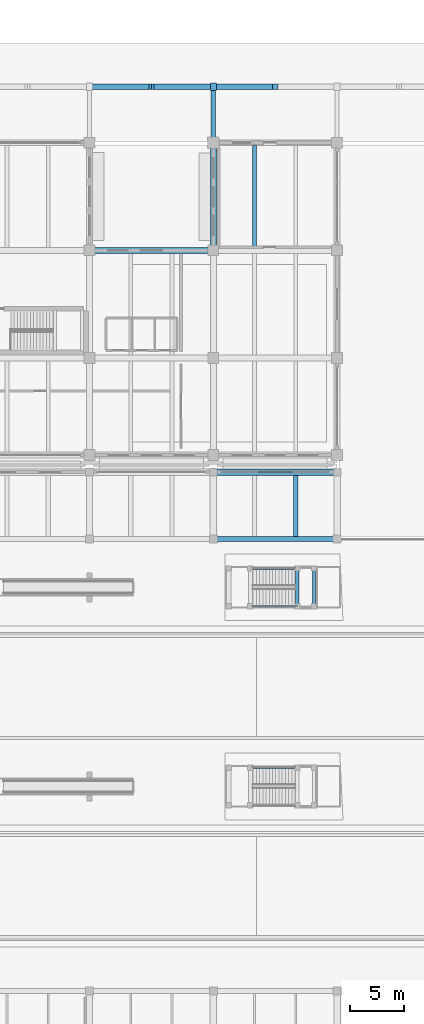
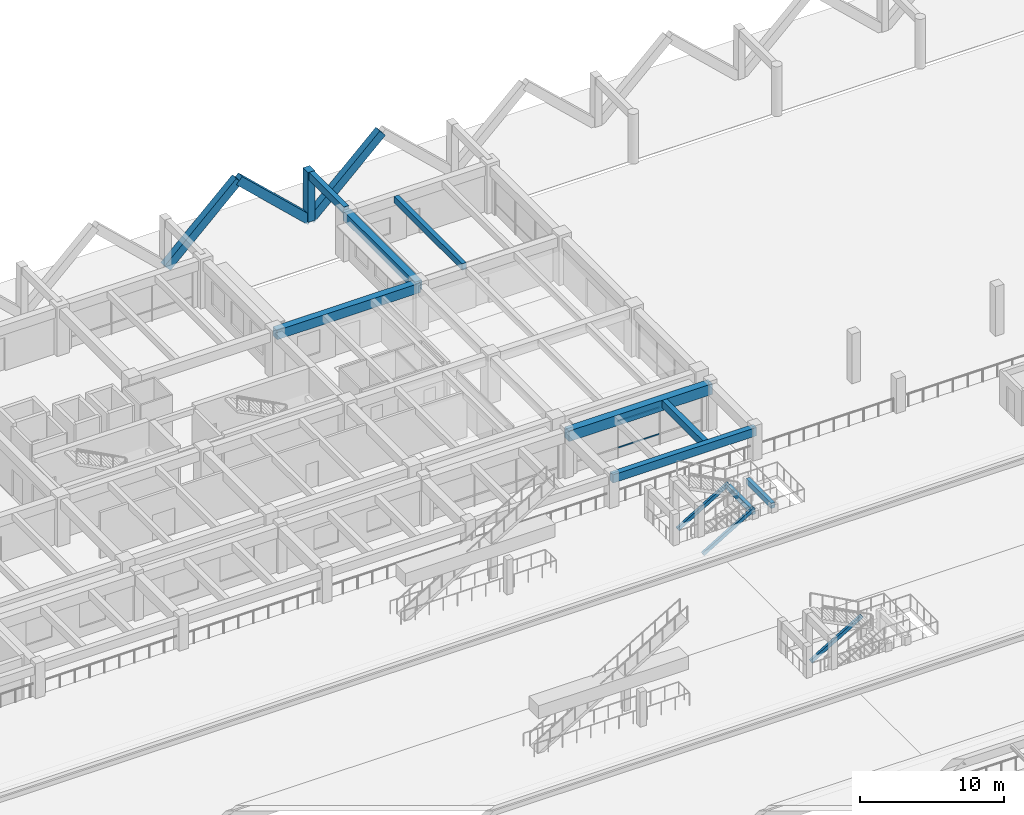
# One storey, part 36 of 109: 9 beams, 9 members, 1 element without a shape of its own.
"""IFC4 building model written with IfcOpenShell, lengths in metres."""

from ifc_helpers import new_model, si_unit, direction, frame, origin, origin_2d, place, context, subcontext, project, spatial, rectangle, hollow_rectangle, extrude, material, material_profile, profile_set, type_object, element, aggregate, save


model = new_model("IFC4")

# Units and contexts
model_context = context("Model", 3, precision=1e-05, world=origin(), true_north=direction((0.0, 1.0)))
body_context = subcontext(model_context, "Body", "Model", "MODEL_VIEW")
ifc_project = project(units=[si_unit("LENGTHUNIT", "METRE"), si_unit("AREAUNIT", "SQUARE_METRE"), si_unit("VOLUMEUNIT", "CUBIC_METRE"), si_unit("PLANEANGLEUNIT", "RADIAN"), si_unit("MASSUNIT", "GRAM", prefix="KILO")], contexts=[model_context])

# Site, building, storey
site_placement = place(None, origin())
site = spatial("IfcSite", under=ifc_project, at=site_placement, CompositionType="ELEMENT")
building_placement = place(site_placement, origin())
building = spatial("IfcBuilding", under=site, at=building_placement, Name="Ologun Quay Terminus", CompositionType="ELEMENT")
storey_placement = place(building_placement, origin())
storey = spatial("IfcBuildingStorey", under=building, at=storey_placement, Name="L00", CompositionType="ELEMENT", Elevation=0.0)

# Beams
ifc_material_1 = material(Name="Concrete C40/50", Category="concrete")
ifc_material_profile_1 = material_profile(ifc_material_1, rectangle(XDim=0.300048828125, YDim=0.449951171875, at=origin_2d()), Name="RC 300x450")
ifc_profile_set_1 = profile_set([ifc_material_profile_1], Name="Concrete C40/50")
beam_type_1 = type_object("IfcBeamType", Name="Core Coupling Lintel Beam 300x450", PredefinedType="LINTEL", material=ifc_profile_set_1)
for number, where, z_axis, x_axis, name in (
    (1, (65.300048828125, 71.75, 1.695068359375), (0.0, 1.0, 0.0), (-1.0, 0.0, 0.0), "LN1 Beam 6/F L00"),
    (2, (66.85009765625, 71.75, 1.695068359375), (0.0, 1.0, 0.0), (-1.0, 0.0, 0.0), "LN1 Beam 6/F L00"),
):
    element("IfcBeam", number, at=place(storey_placement, frame(where, z_axis=z_axis, x_axis=x_axis)), inside=storey, type_object=beam_type_1, Name=name, PredefinedType="LINTEL", context=body_context, shape_type="SweptSolid", body=[
        extrude(rectangle(XDim=0.300048828125, YDim=0.449951171875, at=origin_2d()), origin(), (0.0, 0.0, 1.0), 3.5),
    ])

# Curtain wall, members
ifc_material_2 = material(Name="Aluminium 6063-T6", Category="aluminium")
curtain_wall_type = type_object("IfcCurtainWallType", Name="Ticket Hall Grand Portal Curtain Wall 10700x7700", PredefinedType="USERDEFINED", material=ifc_material_2)
curtain_wall_placement = place(storey_placement, origin())
curtain_wall = element("IfcCurtainWall", 3, at=curtain_wall_placement, inside=storey, type_object=curtain_wall_type, Name="CW-01 Curtain Wall CW-L00-085", ObjectType="UNITISED CURTAIN WALL", PredefinedType="USERDEFINED")
ifc_material_3 = material(Name="Aluminium 6063-T6", Category="aluminium")
ifc_material_profile_2 = material_profile(ifc_material_3, hollow_rectangle(XDim=0.054931640625, YDim=0.110107421875, WallThickness=0.00390625, at=origin_2d()), Name="ALU 110x55x4")
ifc_profile_set_2 = profile_set([ifc_material_profile_2], Name="Aluminium 6063-T6")
member_type_1 = type_object("IfcMemberType", Name="Courtyard Screen Transom 110x55", PredefinedType="USERDEFINED", material=ifc_profile_set_2)
member_1_placement = place(storey_placement, frame((61.5732421875, 84.199951171875, 0.89990234375), z_axis=(1.0, 0.0, 0.0), x_axis=(0.0, 1.0, 0.0)))
member_1 = element("IfcMember", 4, at=member_1_placement, type_object=member_type_1, Name="CW-L00-085 Transom B2-1", ObjectType="TRANSOM", PredefinedType="USERDEFINED", context=body_context, shape_type="SweptSolid", body=[
    extrude(hollow_rectangle(XDim=0.054931640625, YDim=0.110107421875, WallThickness=0.00390625, at=origin_2d()), origin(), (0.0, 0.0, 1.0), 3.353515625),
])
member_2_placement = place(storey_placement, frame((61.5732421875, 84.199951171875, 3.14990234375), z_axis=(1.0, 0.0, 0.0), x_axis=(0.0, 1.0, 0.0)))
member_2 = element("IfcMember", 5, at=member_2_placement, type_object=member_type_1, Name="CW-L00-085 Transom B2-2", ObjectType="TRANSOM", PredefinedType="USERDEFINED", context=body_context, shape_type="SweptSolid", body=[
    extrude(hollow_rectangle(XDim=0.054931640625, YDim=0.110107421875, WallThickness=0.00390625, at=origin_2d()), origin(), (0.0, 0.0, 1.0), 3.353515625),
])
aggregate(curtain_wall, [member_1, member_2])

# Beams
ifc_material_4 = material(Name="Concrete C40/50", Category="concrete")
ifc_material_profile_3 = material_profile(ifc_material_4, rectangle(XDim=0.550048828125, YDim=0.800048828125, at=origin_2d()), Name="RC 550x800")
ifc_profile_set_3 = profile_set([ifc_material_profile_3], Name="Concrete C40/50")
beam_type_2 = type_object("IfcBeamType", Name="Courtyard Wing Primary Girder 550x800", PredefinedType="BEAM", material=ifc_profile_set_3)
beam_1_placement = place(storey_placement, frame((46.0, 104.800048828125, 3.550048828125), z_axis=(1.0, 0.0, 0.0), x_axis=(0.0, 1.0, 0.0)))
element("IfcBeam", 6, at=beam_1_placement, inside=storey, type_object=beam_type_2, Name="B4 Beam 5/J L00", PredefinedType="BEAM", context=body_context, shape_type="SweptSolid", body=[
    extrude(rectangle(XDim=0.550048828125, YDim=0.800048828125, at=origin_2d()), origin(), (0.0, 0.0, 1.0), 11.5),
])
beam_2_placement = place(storey_placement, frame((57.5, 104.800048828125, 3.550048828125), z_axis=(0.0, 1.0, 0.0), x_axis=(-1.0, 0.0, 0.0)))
element("IfcBeam", 7, at=beam_2_placement, inside=storey, type_object=beam_type_2, Name="B4 Beam 6/J L00", PredefinedType="BEAM", context=body_context, shape_type="SweptSolid", body=[
    extrude(rectangle(XDim=0.550048828125, YDim=0.800048828125, at=origin_2d()), origin(), (0.0, 0.0, 1.0), 10.0),
])
ifc_material_5 = material(Name="Concrete C40/50", Category="concrete")
ifc_material_profile_4 = material_profile(ifc_material_5, rectangle(XDim=0.35009765625, YDim=0.550048828125, at=origin_2d()), Name="RC 350x550")
ifc_profile_set_4 = profile_set([ifc_material_profile_4], Name="Concrete C40/50")
beam_type_3 = type_object("IfcBeamType", Name="Courtyard Wing Secondary Joist 350x550", PredefinedType="JOIST", material=ifc_profile_set_4)
beam_3_placement = place(storey_placement, frame((61.333251953125, 105.074951171875, 3.675048828125), z_axis=(0.0, 1.0, 0.0), x_axis=(-1.0, 0.0, 0.0)))
element("IfcBeam", 8, at=beam_3_placement, inside=storey, type_object=beam_type_3, Name="J2 Beam 6/J L00", PredefinedType="JOIST", context=body_context, shape_type="SweptSolid", body=[
    extrude(rectangle(XDim=0.35009765625, YDim=0.550048828125, at=origin_2d()), origin(), (0.0, 0.0, 1.0), 9.449951171875),
])

# Members
ifc_material_6 = material(Name="Concrete C45/55", Category="concrete")
ifc_material_profile_5 = material_profile(ifc_material_6, rectangle(XDim=0.550048828125, YDim=0.699951171875, at=origin_2d()), Name="RC 550x700")
ifc_profile_set_5 = profile_set([ifc_material_profile_5], Name="Concrete C45/55")
member_type_2 = type_object("IfcMemberType", Name="Folded Canopy Concrete V-Strut 550x700", PredefinedType="STRUT", material=ifc_profile_set_5)
member_3_placement = place(storey_placement, frame((57.5, 120.0, 0.0), z_axis=(0.0, 0.0, 1.0), x_axis=(1.0, 0.0, 0.0)))
element("IfcMember", 9, at=member_3_placement, inside=storey, type_object=member_type_2, Name="VS2 Harbour Colonnade Pier 6/L", PredefinedType="STRUT", context=body_context, shape_type="SweptSolid", body=[
    extrude(rectangle(XDim=0.550048828125, YDim=0.699951171875, at=origin_2d()), origin(), (0.0, 0.0, 1.0), 4.219970703125),
])
for number, where, z_axis, x_axis, name in (
    (10, (46.0, 120.0, 0.0), (0.727684573488, 0.0, 0.685911919643), (0.0, 1.0, 0.0), "VS2 Colonnade Strut 5/L-E"),
    (11, (57.5, 120.0, 0.0), (-0.727684573488, 0.0, 0.685911919643), (0.0, -1.0, 0.0), "VS2 Colonnade Strut 6/L-W"),
    (12, (57.5, 120.0, 0.0), (0.727684573488, 0.0, 0.685911919643), (0.0, 1.0, 0.0), "VS2 Colonnade Strut 6/L-E"),
):
    element("IfcMember", number, at=place(storey_placement, frame(where, z_axis=z_axis, x_axis=x_axis)), inside=storey, type_object=member_type_2, Name=name, PredefinedType="STRUT", context=body_context, shape_type="SweptSolid", body=[
        extrude(rectangle(XDim=0.550048828125, YDim=0.699951171875, at=origin_2d()), origin(), (0.0, 0.0, 1.0), 7.90185546875),
    ])

# Beam
ifc_material_7 = material(Name="Concrete C40/50", Category="concrete")
ifc_material_profile_6 = material_profile(ifc_material_7, rectangle(XDim=0.449951171875, YDim=0.699951171875, at=origin_2d()), Name="RC 450x700")
ifc_profile_set_6 = profile_set([ifc_material_profile_6], Name="Concrete C40/50")
beam_type_4 = type_object("IfcBeamType", Name="Perimeter Spandrel Beam 450x700", PredefinedType="SPANDREL", material=ifc_profile_set_6)
beam_4_placement = place(storey_placement, frame((57.5, 78.0, 3.550048828125), z_axis=(1.0, 0.0, 0.0), x_axis=(0.0, 1.0, 0.0)))
element("IfcBeam", 13, at=beam_4_placement, inside=storey, type_object=beam_type_4, Name="SP1 Beam 6/F L00", PredefinedType="SPANDREL", context=body_context, shape_type="SweptSolid", body=[
    extrude(rectangle(XDim=0.449951171875, YDim=0.699951171875, at=origin_2d()), origin(), (0.0, 0.0, 1.0), 11.5),
])

# Members
ifc_material_8 = material(Name="Steel S355", Category="steel")
ifc_material_profile_7 = material_profile(ifc_material_8, hollow_rectangle(XDim=0.199951171875, YDim=0.300048828125, WallThickness=0.010009765625, at=origin_2d()), Name="RHS 300x200x10")
ifc_profile_set_7 = profile_set([ifc_material_profile_7], Name="Steel S355")
member_type_3 = type_object("IfcMemberType", Name="Platform Feature Stair Steel Stringer RHS300", PredefinedType="STRINGER", material=ifc_profile_set_7)
for number, where, z_axis, x_axis, name in (
    (14, (61.199951171875, 56.75, -0.449951171875), (0.858425114186, 0.0, 0.512938907994), (0.0, 1.0, 0.0), "SG1 Steel Stringer ST-P1-N"),
    (15, (61.199951171875, 71.75, -0.449951171875), (0.858425114186, 0.0, 0.512938907994), (0.0, 1.0, 0.0), "SG1 Steel Stringer ST-P3-S"),
    (16, (61.199951171875, 75.25, -0.449951171875), (0.858425114186, 0.0, 0.512938907994), (0.0, 1.0, 0.0), "SG1 Steel Stringer ST-P3-N"),
):
    element("IfcMember", number, at=place(storey_placement, frame(where, z_axis=z_axis, x_axis=x_axis)), inside=storey, type_object=member_type_3, Name=name, PredefinedType="STRINGER", context=body_context, shape_type="SweptSolid", body=[
        extrude(hollow_rectangle(XDim=0.199951171875, YDim=0.300048828125, WallThickness=0.010009765625, at=origin_2d()), origin(), (0.0, 0.0, 1.0), 4.7763671875),
    ])

# Beams
ifc_material_9 = material(Name="Concrete C40/50", Category="concrete")
ifc_material_profile_8 = material_profile(ifc_material_9, rectangle(XDim=0.60009765625, YDim=0.89990234375, at=origin_2d()), Name="RC 600x900")
ifc_profile_set_8 = profile_set([ifc_material_profile_8], Name="Concrete C40/50")
beam_type_5 = type_object("IfcBeamType", Name="Station Frame Girder 600x900", PredefinedType="BEAM", material=ifc_profile_set_8)
beam_5_placement = place(storey_placement, frame((57.5, 84.199951171875, 3.449951171875), z_axis=(1.0, 0.0, 0.0), x_axis=(0.0, 1.0, 0.0)))
element("IfcBeam", 17, at=beam_5_placement, inside=storey, type_object=beam_type_5, Name="B3 Beam 6/G1 L00", PredefinedType="BEAM", context=body_context, shape_type="SweptSolid", body=[
    extrude(rectangle(XDim=0.60009765625, YDim=0.89990234375, at=origin_2d()), origin(), (0.0, 0.0, 1.0), 11.5),
])
ifc_material_10 = material(Name="Concrete C40/50", Category="concrete")
ifc_material_profile_9 = material_profile(ifc_material_10, rectangle(XDim=0.39990234375, YDim=0.64990234375, at=origin_2d()), Name="RC 400x650")
ifc_profile_set_9 = profile_set([ifc_material_profile_9], Name="Concrete C40/50")
beam_type_6 = type_object("IfcBeamType", Name="Station Secondary Joist 400x650", PredefinedType="JOIST", material=ifc_profile_set_9)
beam_6_placement = place(storey_placement, frame((65.166748046875, 78.22509765625, 3.574951171875), z_axis=(0.0, 1.0, 0.0), x_axis=(-1.0, 0.0, 0.0)))
element("IfcBeam", 18, at=beam_6_placement, inside=storey, type_object=beam_type_6, Name="J1 Beam 6/F L00", PredefinedType="JOIST", context=body_context, shape_type="SweptSolid", body=[
    extrude(rectangle(XDim=0.39990234375, YDim=0.64990234375, at=origin_2d()), origin(), (0.0, 0.0, 1.0), 5.6748046875),
])
beam_7_placement = place(storey_placement, frame((57.5, 114.800048828125, 3.89501953125), z_axis=(0.0, 1.0, 0.0), x_axis=(-1.0, 0.0, 0.0)))
element("IfcBeam", 19, at=beam_7_placement, inside=storey, type_object=beam_type_6, Name="J1 Beam 6/L L00", PredefinedType="JOIST", context=body_context, shape_type="SweptSolid", body=[
    extrude(rectangle(XDim=0.39990234375, YDim=0.64990234375, at=origin_2d()), origin(), (0.0, 0.0, 1.0), 5.199951171875),
])

save(model, "model.ifc")
